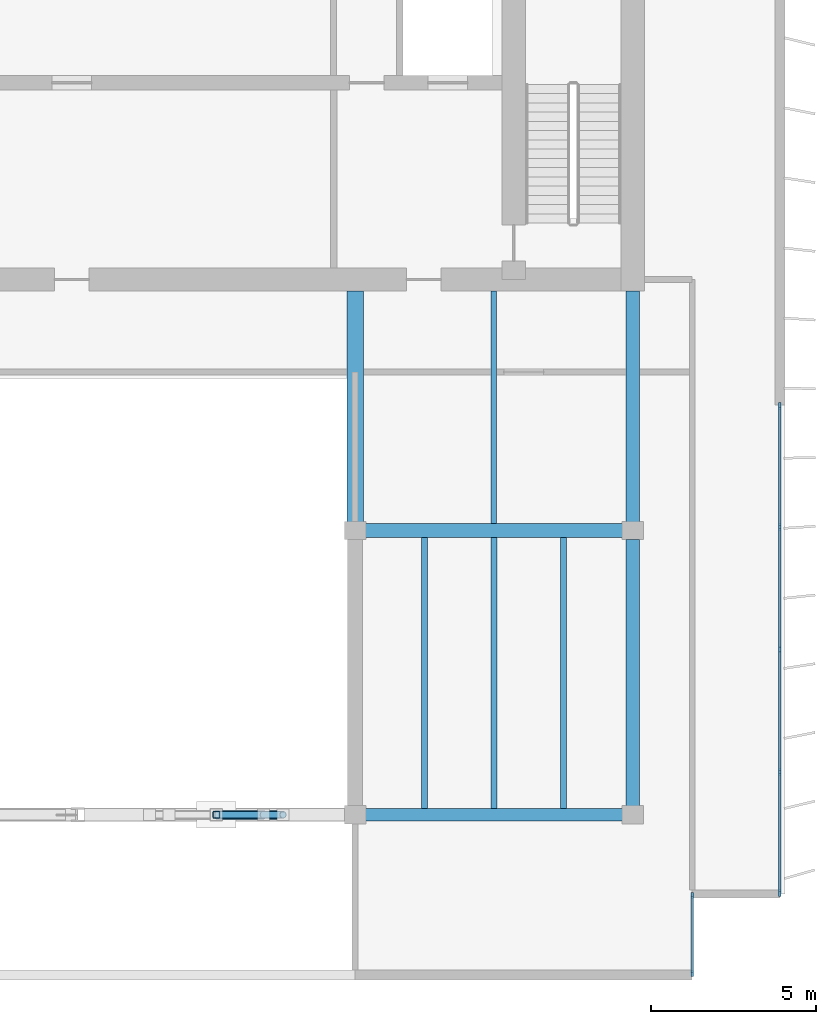
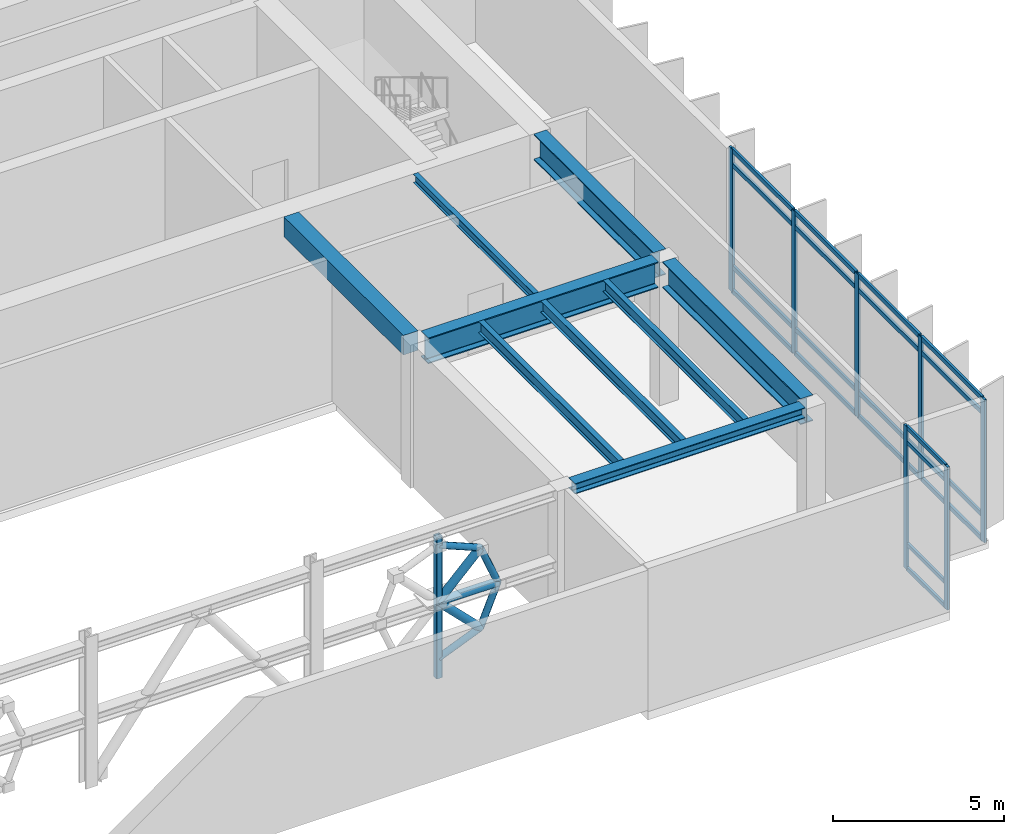
# One storey, part 4 of 10: 35 members, 9 beams, 2 elements without a shape of their own.
"""IFC4 building model written with IfcOpenShell, lengths in metres."""

from ifc_helpers import new_model, si_unit, direction, frame, origin, origin_2d, place, context, subcontext, project, spatial, rectangle, hollow_rectangle, hollow_circle, i_section, extrude, material, layer, layer_set, material_profile, profile_set, type_object, element, aggregate, save


model = new_model("IFC4")

# Units and contexts
model_context = context("Model", 3, precision=1e-05, world=origin(), true_north=direction((0.0, 1.0)))
body_context = subcontext(model_context, "Body", "Model", "MODEL_VIEW")
ifc_project = project(units=[si_unit("LENGTHUNIT", "METRE"), si_unit("AREAUNIT", "SQUARE_METRE"), si_unit("VOLUMEUNIT", "CUBIC_METRE"), si_unit("PLANEANGLEUNIT", "RADIAN"), si_unit("MASSUNIT", "GRAM", prefix="KILO")], contexts=[model_context])

# Site, building, storey
site_placement = place(None, origin())
site = spatial("IfcSite", under=ifc_project, at=site_placement, CompositionType="ELEMENT")
building_placement = place(site_placement, origin())
building = spatial("IfcBuilding", under=site, at=building_placement, Name="Caelmar Bay Residences", CompositionType="ELEMENT")
storey_placement = place(building_placement, frame((0.0, 0.0, 284.800048828125)))
storey = spatial("IfcBuildingStorey", under=building, at=storey_placement, Name="L79", CompositionType="ELEMENT", Elevation=284.800048828125)

# Beams
ifc_material_1 = material(Name="Steel ASTM A992 Grade 50", Category="steel")
ifc_material_profile_1 = material_profile(ifc_material_1, i_section(OverallWidth=0.177978515625, OverallDepth=0.406005859375, WebThickness=0.0078125, FlangeThickness=0.0126953125, FilletRadius=0.0087890625, at=origin_2d()), Name="W16X40")
ifc_profile_set_1 = profile_set([ifc_material_profile_1], Name="Steel ASTM A992 Grade 50")
beam_type_1 = type_object("IfcBeamType", Name="BM-BAL-W16X40", PredefinedType="JOIST", material=ifc_profile_set_1)
for number, where, z_axis, x_axis, name in (
    (1, (53.199951171875, 20.986572265625, 4.89697265625), (0.0, 1.0, 0.0), (-1.0, 0.0, 0.0), "L79 Composite Floor Joist 4"),
    (2, (55.300048828125, 20.986572265625, 4.89697265625), (0.0, 1.0, 0.0), (-1.0, 0.0, 0.0), "L79 Composite Floor Joist 5"),
    (3, (57.39990234375, 20.986572265625, 4.89697265625), (0.0, 1.0, 0.0), (-1.0, 0.0, 0.0), "L79 Composite Floor Joist 6"),
):
    element("IfcBeam", number, at=place(storey_placement, frame(where, z_axis=z_axis, x_axis=x_axis)), inside=storey, type_object=beam_type_1, Name=name, PredefinedType="JOIST", context=body_context, shape_type="SweptSolid", body=[
        extrude(i_section(OverallWidth=0.177978515625, OverallDepth=0.406005859375, WebThickness=0.0078125, FlangeThickness=0.0126953125, FilletRadius=0.0087890625, at=origin_2d()), origin(), (0.0, 0.0, 1.0), 8.202392578125),
    ])
ifc_material_profile_2 = material_profile(ifc_material_1, i_section(OverallWidth=0.373046875, OverallDepth=0.373046875, WebThickness=0.016357421875, FlangeThickness=0.026123046875, FilletRadius=0.01513671875, at=origin_2d()), Name="W14X132")
ifc_profile_set_2 = profile_set([ifc_material_profile_2], Name="Steel ASTM A992 Grade 50")
beam_type_2 = type_object("IfcBeamType", Name="BM-CHD-W14X132", PredefinedType="BEAM", material=ifc_profile_set_2)
beam_1_placement = place(storey_placement, frame((51.4150390625, 20.800048828125, 4.913330078125), z_axis=(1.0, 0.0, 0.0), x_axis=(0.0, 1.0, 0.0)))
element("IfcBeam", 4, at=beam_1_placement, inside=storey, type_object=beam_type_2, Name="L79 East-West Girder Y=20.80 (51.1-59.5)", PredefinedType="BEAM", context=body_context, shape_type="SweptSolid", body=[
    extrude(i_section(OverallWidth=0.373046875, OverallDepth=0.373046875, WebThickness=0.016357421875, FlangeThickness=0.026123046875, FilletRadius=0.01513671875, at=origin_2d()), origin(), (0.0, 0.0, 1.0), 7.77001953125),
])
ifc_material_profile_3 = material_profile(ifc_material_1, i_section(OverallWidth=0.422119140625, OverallDepth=0.925048828125, WebThickness=0.021240234375, FlangeThickness=0.03662109375, FilletRadius=0.020263671875, at=origin_2d()), Name="W36X262")
ifc_profile_set_3 = profile_set([ifc_material_profile_3], Name="Steel ASTM A992 Grade 50")
beam_type_3 = type_object("IfcBeamType", Name="BM-GRD-W36X262", PredefinedType="BEAM", material=ifc_profile_set_3)
beam_2_placement = place(storey_placement, frame((51.4150390625, 29.39990234375, 4.637451171875), z_axis=(1.0, 0.0, 0.0), x_axis=(0.0, 1.0, 0.0)))
element("IfcBeam", 5, at=beam_2_placement, inside=storey, type_object=beam_type_3, Name="L79 East-West Girder Y=29.40 (51.1-59.5)", PredefinedType="BEAM", context=body_context, shape_type="SweptSolid", body=[
    extrude(i_section(OverallWidth=0.422119140625, OverallDepth=0.925048828125, WebThickness=0.021240234375, FlangeThickness=0.03662109375, FilletRadius=0.020263671875, at=origin_2d()), origin(), (0.0, 0.0, 1.0), 7.77001953125),
])
beam_3_placement = place(storey_placement, frame((59.5, 29.6650390625, 4.637451171875), z_axis=(0.0, 1.0, 0.0), x_axis=(-1.0, 0.0, 0.0)))
element("IfcBeam", 6, at=beam_3_placement, inside=storey, type_object=beam_type_3, Name="L79 Core Tie Girder X=59.50", PredefinedType="BEAM", context=body_context, shape_type="SweptSolid", body=[
    extrude(i_section(OverallWidth=0.422119140625, OverallDepth=0.925048828125, WebThickness=0.021240234375, FlangeThickness=0.03662109375, FilletRadius=0.020263671875, at=origin_2d()), origin(), (0.0, 0.0, 1.0), 6.98486328125),
])
beam_4_placement = place(storey_placement, frame((59.5, 21.06494140625, 4.637451171875), z_axis=(0.0, 1.0, 0.0), x_axis=(-1.0, 0.0, 0.0)))
element("IfcBeam", 7, at=beam_4_placement, inside=storey, type_object=beam_type_3, Name="L79 North-South Girder X=59.50 (20.8-29.4)", PredefinedType="BEAM", context=body_context, shape_type="SweptSolid", body=[
    extrude(i_section(OverallWidth=0.422119140625, OverallDepth=0.925048828125, WebThickness=0.021240234375, FlangeThickness=0.03662109375, FilletRadius=0.020263671875, at=origin_2d()), origin(), (0.0, 0.0, 1.0), 8.070068359375),
])
ifc_material_profile_4 = material_profile(ifc_material_1, i_section(OverallWidth=0.1650390625, OverallDepth=0.31005859375, WebThickness=0.005859375, FlangeThickness=0.009765625, FilletRadius=0.007568359375, at=origin_2d()), Name="W12X26")
ifc_profile_set_4 = profile_set([ifc_material_profile_4], Name="Steel ASTM A992 Grade 50")
beam_type_4 = type_object("IfcBeamType", Name="BM-JST-W12X26", PredefinedType="JOIST", material=ifc_profile_set_4)
beam_5_placement = place(storey_placement, frame((55.300048828125, 29.611083984375, 4.945068359375), z_axis=(0.0, 1.0, 0.0), x_axis=(-1.0, 0.0, 0.0)))
element("IfcBeam", 8, at=beam_5_placement, inside=storey, type_object=beam_type_4, Name="L79 Core-Band Composite Joist 8", PredefinedType="JOIST", context=body_context, shape_type="SweptSolid", body=[
    extrude(i_section(OverallWidth=0.1650390625, OverallDepth=0.31005859375, WebThickness=0.005859375, FlangeThickness=0.009765625, FilletRadius=0.007568359375, at=origin_2d()), origin(), (0.0, 0.0, 1.0), 7.038818359375),
])
ifc_material_2 = material(Name="Concrete f'c 55 MPa (8,000 psi)", Category="concrete")
ifc_material_profile_5 = material_profile(ifc_material_2, rectangle(XDim=0.5, YDim=0.699951171875, at=origin_2d()), Name="RC-BM-500X700")
ifc_profile_set_5 = profile_set([ifc_material_profile_5], Name="Concrete f'c 55 MPa (8,000 psi)")
beam_type_5 = type_object("IfcBeamType", Name="BM-RC-500X700", PredefinedType="LINTEL", material=ifc_profile_set_5)
beam_6_placement = place(storey_placement, frame((51.10009765625, 29.6650390625, 4.75), z_axis=(0.0, 1.0, 0.0), x_axis=(-1.0, 0.0, 0.0)))
element("IfcBeam", 9, at=beam_6_placement, inside=storey, type_object=beam_type_5, Name="L79 Shear-Wall Corridor Coupling Lintel E8", PredefinedType="LINTEL", context=body_context, shape_type="SweptSolid", body=[
    extrude(rectangle(XDim=0.5, YDim=0.699951171875, at=origin_2d()), origin(), (0.0, 0.0, 1.0), 6.98486328125),
])

# Curtain wall, members
ifc_material_3 = material(Name="Anodised bronze aluminium 6063-T6 and laminated glass", Category="aluminium")
ifc_layer_1 = layer(ifc_material_3, 0.179931640625)
ifc_layer_set_1 = layer_set([ifc_layer_1], Name="Anodised bronze aluminium 6063-T6 and laminated glass")
curtain_wall_type_1 = type_object("IfcCurtainWallType", Name="CW6-NTC", PredefinedType="NOTDEFINED", material=ifc_layer_set_1)
curtain_wall_1_placement = place(storey_placement, origin())
curtain_wall_1 = element("IfcCurtainWall", 10, at=curtain_wall_1_placement, inside=storey, type_object=curtain_wall_type_1, Name="CW6 curtain wall L79", PredefinedType="NOTDEFINED")
ifc_material_4 = material(Name="Anodised bronze aluminium 6063-T6", Category="aluminium")
ifc_material_profile_6 = material_profile(ifc_material_4, rectangle(XDim=0.080078125, YDim=0.179931640625, at=origin_2d()), Name="CWM-80X180")
ifc_profile_set_6 = profile_set([ifc_material_profile_6], Name="Anodised bronze aluminium 6063-T6")
member_type_1 = type_object("IfcMemberType", Name="CWM-180", PredefinedType="MULLION", material=ifc_profile_set_6)
member_1_placement = place(storey_placement, frame((61.300048828125, 15.989990234375, 0.0), z_axis=(0.0, 0.0, 1.0), x_axis=(-1.0, 0.0, 0.0)))
member_1 = element("IfcMember", 11, at=member_1_placement, type_object=member_type_1, Name="CW6 mullion 1", PredefinedType="MULLION", context=body_context, shape_type="SweptSolid", body=[
    extrude(rectangle(XDim=0.080078125, YDim=0.179931640625, at=origin_2d()), origin(), (0.0, 0.0, 1.0), 5.099853515625),
])
member_2_placement = place(storey_placement, frame((61.300048828125, 18.360107421875, 0.0), z_axis=(0.0, 0.0, 1.0), x_axis=(-1.0, 0.0, 0.0)))
member_2 = element("IfcMember", 12, at=member_2_placement, type_object=member_type_1, Name="CW6 mullion 2", PredefinedType="MULLION", context=body_context, shape_type="SweptSolid", body=[
    extrude(rectangle(XDim=0.080078125, YDim=0.179931640625, at=origin_2d()), origin(), (0.0, 0.0, 1.0), 5.099853515625),
])

ifc_layer_2 = layer(ifc_material_3, 0.179931640625)
ifc_layer_set_2 = layer_set([ifc_layer_2], Name="Anodised bronze aluminium 6063-T6 and laminated glass")
curtain_wall_type_2 = type_object("IfcCurtainWallType", Name="CW7-CRN", PredefinedType="NOTDEFINED", material=ifc_layer_set_2)
curtain_wall_2_placement = place(storey_placement, origin())
curtain_wall_2 = element("IfcCurtainWall", 13, at=curtain_wall_2_placement, inside=storey, type_object=curtain_wall_type_2, Name="CW7 curtain wall L79", PredefinedType="NOTDEFINED")
ifc_material_profile_7 = material_profile(ifc_material_4, rectangle(XDim=0.080078125, YDim=0.219970703125, at=origin_2d()), Name="CWM-80X220")
ifc_profile_set_7 = profile_set([ifc_material_profile_7], Name="Anodised bronze aluminium 6063-T6")
member_type_2 = type_object("IfcMemberType", Name="CWM-220", PredefinedType="MULLION", material=ifc_profile_set_7)
member_3_placement = place(storey_placement, frame((63.949951171875, 33.159912109375, 0.0), z_axis=(0.0, 0.0, 1.0), x_axis=(1.0, 0.0, 0.0)))
member_3 = element("IfcMember", 14, at=member_3_placement, type_object=member_type_2, Name="CW7 mullion 1", PredefinedType="MULLION", context=body_context, shape_type="SweptSolid", body=[
    extrude(rectangle(XDim=0.080078125, YDim=0.219970703125, at=origin_2d()), origin(), (0.0, 0.0, 1.0), 5.099853515625),
])
member_4_placement = place(storey_placement, frame((63.949951171875, 29.5, 0.0), z_axis=(0.0, 0.0, 1.0), x_axis=(1.0, 0.0, 0.0)))
member_4 = element("IfcMember", 15, at=member_4_placement, type_object=member_type_2, Name="CW7 mullion 2", PredefinedType="MULLION", context=body_context, shape_type="SweptSolid", body=[
    extrude(rectangle(XDim=0.080078125, YDim=0.219970703125, at=origin_2d()), origin(), (0.0, 0.0, 1.0), 5.099853515625),
])
member_5_placement = place(storey_placement, frame((63.949951171875, 25.800048828125, 0.0), z_axis=(0.0, 0.0, 1.0), x_axis=(1.0, 0.0, 0.0)))
member_5 = element("IfcMember", 16, at=member_5_placement, type_object=member_type_2, Name="CW7 mullion 3", PredefinedType="MULLION", context=body_context, shape_type="SweptSolid", body=[
    extrude(rectangle(XDim=0.080078125, YDim=0.219970703125, at=origin_2d()), origin(), (0.0, 0.0, 1.0), 5.099853515625),
])
member_6_placement = place(storey_placement, frame((63.949951171875, 22.10009765625, 0.0), z_axis=(0.0, 0.0, 1.0), x_axis=(1.0, 0.0, 0.0)))
member_6 = element("IfcMember", 17, at=member_6_placement, type_object=member_type_2, Name="CW7 mullion 4", PredefinedType="MULLION", context=body_context, shape_type="SweptSolid", body=[
    extrude(rectangle(XDim=0.080078125, YDim=0.219970703125, at=origin_2d()), origin(), (0.0, 0.0, 1.0), 5.099853515625),
])
member_7_placement = place(storey_placement, frame((63.949951171875, 18.43994140625, 0.0), z_axis=(0.0, 0.0, 1.0), x_axis=(1.0, 0.0, 0.0)))
member_7 = element("IfcMember", 18, at=member_7_placement, type_object=member_type_2, Name="CW7 mullion 5", PredefinedType="MULLION", context=body_context, shape_type="SweptSolid", body=[
    extrude(rectangle(XDim=0.080078125, YDim=0.219970703125, at=origin_2d()), origin(), (0.0, 0.0, 1.0), 5.099853515625),
])

# Member
ifc_material_profile_8 = material_profile(ifc_material_4, rectangle(XDim=0.080078125, YDim=0.139892578125, at=origin_2d()), Name="CWT-80X140")
ifc_profile_set_8 = profile_set([ifc_material_profile_8], Name="Anodised bronze aluminium 6063-T6")
member_type_3 = type_object("IfcMemberType", Name="CWT-140", PredefinedType="NOTDEFINED", material=ifc_profile_set_8)
member_8_placement = place(storey_placement, frame((61.300048828125, 16.030029296875, 0.0400390625), z_axis=(0.0, 1.0, 0.0), x_axis=(-1.0, 0.0, 0.0)))
member_8 = element("IfcMember", 19, at=member_8_placement, type_object=member_type_3, Name="CW6 transom 1.1", ObjectType="TRANSOM", PredefinedType="USERDEFINED", context=body_context, shape_type="SweptSolid", body=[
    extrude(rectangle(XDim=0.080078125, YDim=0.139892578125, at=origin_2d()), origin(), (0.0, 0.0, 1.0), 2.2900390625),
])

member_9_placement = place(storey_placement, frame((61.300048828125, 16.030029296875, 0.89990234375), z_axis=(0.0, 1.0, 0.0), x_axis=(-1.0, 0.0, 0.0)))
member_9 = element("IfcMember", 20, at=member_9_placement, type_object=member_type_3, Name="CW6 transom 1.2", ObjectType="TRANSOM", PredefinedType="USERDEFINED", context=body_context, shape_type="SweptSolid", body=[
    extrude(rectangle(XDim=0.080078125, YDim=0.139892578125, at=origin_2d()), origin(), (0.0, 0.0, 1.0), 2.2900390625),
])

member_10_placement = place(storey_placement, frame((61.300048828125, 16.030029296875, 4.550048828125), z_axis=(0.0, 1.0, 0.0), x_axis=(-1.0, 0.0, 0.0)))
member_10 = element("IfcMember", 21, at=member_10_placement, type_object=member_type_3, Name="CW6 transom 1.3", ObjectType="TRANSOM", PredefinedType="USERDEFINED", context=body_context, shape_type="SweptSolid", body=[
    extrude(rectangle(XDim=0.080078125, YDim=0.139892578125, at=origin_2d()), origin(), (0.0, 0.0, 1.0), 2.2900390625),
])

member_11_placement = place(storey_placement, frame((61.300048828125, 16.030029296875, 5.06005859375), z_axis=(0.0, 1.0, 0.0), x_axis=(-1.0, 0.0, 0.0)))
member_11 = element("IfcMember", 22, at=member_11_placement, type_object=member_type_3, Name="CW6 transom 1.4", ObjectType="TRANSOM", PredefinedType="USERDEFINED", context=body_context, shape_type="SweptSolid", body=[
    extrude(rectangle(XDim=0.080078125, YDim=0.139892578125, at=origin_2d()), origin(), (0.0, 0.0, 1.0), 2.2900390625),
])

aggregate(curtain_wall_1, [member_1, member_2, member_8, member_9, member_10, member_11])

ifc_material_profile_9 = material_profile(ifc_material_4, rectangle(XDim=0.080078125, YDim=0.159912109375, at=origin_2d()), Name="CWT-80X160")
ifc_profile_set_9 = profile_set([ifc_material_profile_9], Name="Anodised bronze aluminium 6063-T6")
member_type_4 = type_object("IfcMemberType", Name="CWT-160", PredefinedType="NOTDEFINED", material=ifc_profile_set_9)
member_12_placement = place(storey_placement, frame((63.949951171875, 33.1201171875, 0.0400390625), z_axis=(0.0, -1.0, 0.0), x_axis=(1.0, 0.0, 0.0)))
member_12 = element("IfcMember", 23, at=member_12_placement, type_object=member_type_4, Name="CW7 transom 1.1", ObjectType="TRANSOM", PredefinedType="USERDEFINED", context=body_context, shape_type="SweptSolid", body=[
    extrude(rectangle(XDim=0.080078125, YDim=0.159912109375, at=origin_2d()), origin(), (0.0, 0.0, 1.0), 3.580078125),
])

member_13_placement = place(storey_placement, frame((63.949951171875, 33.1201171875, 0.89990234375), z_axis=(0.0, -1.0, 0.0), x_axis=(1.0, 0.0, 0.0)))
member_13 = element("IfcMember", 24, at=member_13_placement, type_object=member_type_4, Name="CW7 transom 1.2", ObjectType="TRANSOM", PredefinedType="USERDEFINED", context=body_context, shape_type="SweptSolid", body=[
    extrude(rectangle(XDim=0.080078125, YDim=0.159912109375, at=origin_2d()), origin(), (0.0, 0.0, 1.0), 3.580078125),
])

member_14_placement = place(storey_placement, frame((63.949951171875, 33.1201171875, 4.550048828125), z_axis=(0.0, -1.0, 0.0), x_axis=(1.0, 0.0, 0.0)))
member_14 = element("IfcMember", 25, at=member_14_placement, type_object=member_type_4, Name="CW7 transom 1.3", ObjectType="TRANSOM", PredefinedType="USERDEFINED", context=body_context, shape_type="SweptSolid", body=[
    extrude(rectangle(XDim=0.080078125, YDim=0.159912109375, at=origin_2d()), origin(), (0.0, 0.0, 1.0), 3.580078125),
])

member_15_placement = place(storey_placement, frame((63.949951171875, 33.1201171875, 5.06005859375), z_axis=(0.0, -1.0, 0.0), x_axis=(1.0, 0.0, 0.0)))
member_15 = element("IfcMember", 26, at=member_15_placement, type_object=member_type_4, Name="CW7 transom 1.4", ObjectType="TRANSOM", PredefinedType="USERDEFINED", context=body_context, shape_type="SweptSolid", body=[
    extrude(rectangle(XDim=0.080078125, YDim=0.159912109375, at=origin_2d()), origin(), (0.0, 0.0, 1.0), 3.580078125),
])

member_16_placement = place(storey_placement, frame((63.949951171875, 29.4599609375, 0.0400390625), z_axis=(0.0, -1.0, 0.0), x_axis=(1.0, 0.0, 0.0)))
member_16 = element("IfcMember", 27, at=member_16_placement, type_object=member_type_4, Name="CW7 transom 2.1", ObjectType="TRANSOM", PredefinedType="USERDEFINED", context=body_context, shape_type="SweptSolid", body=[
    extrude(rectangle(XDim=0.080078125, YDim=0.159912109375, at=origin_2d()), origin(), (0.0, 0.0, 1.0), 3.619873046875),
])

member_17_placement = place(storey_placement, frame((63.949951171875, 29.4599609375, 0.89990234375), z_axis=(0.0, -1.0, 0.0), x_axis=(1.0, 0.0, 0.0)))
member_17 = element("IfcMember", 28, at=member_17_placement, type_object=member_type_4, Name="CW7 transom 2.2", ObjectType="TRANSOM", PredefinedType="USERDEFINED", context=body_context, shape_type="SweptSolid", body=[
    extrude(rectangle(XDim=0.080078125, YDim=0.159912109375, at=origin_2d()), origin(), (0.0, 0.0, 1.0), 3.619873046875),
])

member_18_placement = place(storey_placement, frame((63.949951171875, 29.4599609375, 4.550048828125), z_axis=(0.0, -1.0, 0.0), x_axis=(1.0, 0.0, 0.0)))
member_18 = element("IfcMember", 29, at=member_18_placement, type_object=member_type_4, Name="CW7 transom 2.3", ObjectType="TRANSOM", PredefinedType="USERDEFINED", context=body_context, shape_type="SweptSolid", body=[
    extrude(rectangle(XDim=0.080078125, YDim=0.159912109375, at=origin_2d()), origin(), (0.0, 0.0, 1.0), 3.619873046875),
])

member_19_placement = place(storey_placement, frame((63.949951171875, 29.4599609375, 5.06005859375), z_axis=(0.0, -1.0, 0.0), x_axis=(1.0, 0.0, 0.0)))
member_19 = element("IfcMember", 30, at=member_19_placement, type_object=member_type_4, Name="CW7 transom 2.4", ObjectType="TRANSOM", PredefinedType="USERDEFINED", context=body_context, shape_type="SweptSolid", body=[
    extrude(rectangle(XDim=0.080078125, YDim=0.159912109375, at=origin_2d()), origin(), (0.0, 0.0, 1.0), 3.619873046875),
])

member_20_placement = place(storey_placement, frame((63.949951171875, 25.760009765625, 0.0400390625), z_axis=(0.0, -1.0, 0.0), x_axis=(1.0, 0.0, 0.0)))
member_20 = element("IfcMember", 31, at=member_20_placement, type_object=member_type_4, Name="CW7 transom 3.1", ObjectType="TRANSOM", PredefinedType="USERDEFINED", context=body_context, shape_type="SweptSolid", body=[
    extrude(rectangle(XDim=0.080078125, YDim=0.159912109375, at=origin_2d()), origin(), (0.0, 0.0, 1.0), 3.6201171875),
])

member_21_placement = place(storey_placement, frame((63.949951171875, 25.760009765625, 0.89990234375), z_axis=(0.0, -1.0, 0.0), x_axis=(1.0, 0.0, 0.0)))
member_21 = element("IfcMember", 32, at=member_21_placement, type_object=member_type_4, Name="CW7 transom 3.2", ObjectType="TRANSOM", PredefinedType="USERDEFINED", context=body_context, shape_type="SweptSolid", body=[
    extrude(rectangle(XDim=0.080078125, YDim=0.159912109375, at=origin_2d()), origin(), (0.0, 0.0, 1.0), 3.6201171875),
])

member_22_placement = place(storey_placement, frame((63.949951171875, 25.760009765625, 4.550048828125), z_axis=(0.0, -1.0, 0.0), x_axis=(1.0, 0.0, 0.0)))
member_22 = element("IfcMember", 33, at=member_22_placement, type_object=member_type_4, Name="CW7 transom 3.3", ObjectType="TRANSOM", PredefinedType="USERDEFINED", context=body_context, shape_type="SweptSolid", body=[
    extrude(rectangle(XDim=0.080078125, YDim=0.159912109375, at=origin_2d()), origin(), (0.0, 0.0, 1.0), 3.6201171875),
])

member_23_placement = place(storey_placement, frame((63.949951171875, 25.760009765625, 5.06005859375), z_axis=(0.0, -1.0, 0.0), x_axis=(1.0, 0.0, 0.0)))
member_23 = element("IfcMember", 34, at=member_23_placement, type_object=member_type_4, Name="CW7 transom 3.4", ObjectType="TRANSOM", PredefinedType="USERDEFINED", context=body_context, shape_type="SweptSolid", body=[
    extrude(rectangle(XDim=0.080078125, YDim=0.159912109375, at=origin_2d()), origin(), (0.0, 0.0, 1.0), 3.6201171875),
])

member_24_placement = place(storey_placement, frame((63.949951171875, 22.06005859375, 0.0400390625), z_axis=(0.0, -1.0, 0.0), x_axis=(1.0, 0.0, 0.0)))
member_24 = element("IfcMember", 35, at=member_24_placement, type_object=member_type_4, Name="CW7 transom 4.1", ObjectType="TRANSOM", PredefinedType="USERDEFINED", context=body_context, shape_type="SweptSolid", body=[
    extrude(rectangle(XDim=0.080078125, YDim=0.159912109375, at=origin_2d()), origin(), (0.0, 0.0, 1.0), 3.580078125),
])

member_25_placement = place(storey_placement, frame((63.949951171875, 22.06005859375, 0.89990234375), z_axis=(0.0, -1.0, 0.0), x_axis=(1.0, 0.0, 0.0)))
member_25 = element("IfcMember", 36, at=member_25_placement, type_object=member_type_4, Name="CW7 transom 4.2", ObjectType="TRANSOM", PredefinedType="USERDEFINED", context=body_context, shape_type="SweptSolid", body=[
    extrude(rectangle(XDim=0.080078125, YDim=0.159912109375, at=origin_2d()), origin(), (0.0, 0.0, 1.0), 3.580078125),
])

member_26_placement = place(storey_placement, frame((63.949951171875, 22.06005859375, 4.550048828125), z_axis=(0.0, -1.0, 0.0), x_axis=(1.0, 0.0, 0.0)))
member_26 = element("IfcMember", 37, at=member_26_placement, type_object=member_type_4, Name="CW7 transom 4.3", ObjectType="TRANSOM", PredefinedType="USERDEFINED", context=body_context, shape_type="SweptSolid", body=[
    extrude(rectangle(XDim=0.080078125, YDim=0.159912109375, at=origin_2d()), origin(), (0.0, 0.0, 1.0), 3.580078125),
])

member_27_placement = place(storey_placement, frame((63.949951171875, 22.06005859375, 5.06005859375), z_axis=(0.0, -1.0, 0.0), x_axis=(1.0, 0.0, 0.0)))
member_27 = element("IfcMember", 38, at=member_27_placement, type_object=member_type_4, Name="CW7 transom 4.4", ObjectType="TRANSOM", PredefinedType="USERDEFINED", context=body_context, shape_type="SweptSolid", body=[
    extrude(rectangle(XDim=0.080078125, YDim=0.159912109375, at=origin_2d()), origin(), (0.0, 0.0, 1.0), 3.580078125),
])

aggregate(curtain_wall_2, [member_3, member_4, member_5, member_6, member_7, member_12, member_13, member_14, member_15, member_16, member_17, member_18, member_19, member_20, member_21, member_22, member_23, member_24, member_25, member_26, member_27])

# Members
ifc_material_5 = material(Name="Steel ASTM A500 Grade C", Category="steel")
ifc_material_profile_10 = material_profile(ifc_material_5, hollow_rectangle(XDim=0.202880859375, YDim=0.202880859375, WallThickness=0.01171875, InnerFilletRadius=0.01171875, OuterFilletRadius=0.023681640625, at=origin_2d()), Name="HSS200X200X12.7")
ifc_profile_set_10 = profile_set([ifc_material_profile_10], Name="Steel ASTM A500 Grade C")
member_type_5 = type_object("IfcMemberType", Name="MEM-PST-HSS200", PredefinedType="POST", material=ifc_profile_set_10)
member_28_placement = place(storey_placement, frame((46.89990234375, 20.800048828125, -0.31005859375), z_axis=(0.0, 0.0, 1.0), x_axis=(1.0, 0.0, 0.0)))
element("IfcMember", 39, at=member_28_placement, inside=storey, type_object=member_type_5, Name="Venturi Rotor 2 Vertical Hub Post", PredefinedType="POST", context=body_context, shape_type="SweptSolid", body=[
    extrude(hollow_rectangle(XDim=0.202880859375, YDim=0.202880859375, WallThickness=0.01171875, InnerFilletRadius=0.01171875, OuterFilletRadius=0.023681640625, at=origin_2d()), origin(), (0.0, 0.0, 1.0), 5.052001953125),
])
ifc_material_profile_11 = material_profile(ifc_material_5, hollow_circle(Radius=0.109619140625, WallThickness=0.01171875, at=origin_2d()), Name="CHS219X12.7")
ifc_profile_set_11 = profile_set([ifc_material_profile_11], Name="Steel ASTM A500 Grade C")
member_type_6 = type_object("IfcMemberType", Name="MEM-SHR-CHS219", PredefinedType="STRUT", material=ifc_profile_set_11)
for number, where, z_axis, x_axis, name in (
    (40, (48.919921875, 20.800048828125, 2.370849609375), (-0.382607474416, 0.0, 0.923910991666), (0.0, -1.0, 0.0), "Venturi Rotor 2 Octagonal Shroud Ring Segment 1"),
    (41, (48.328369140625, 20.800048828125, 3.79931640625), (-0.923910991666, 0.0, 0.382607474416), (0.0, -1.0, 0.0), "Venturi Rotor 2 Octagonal Shroud Ring Segment 2"),
    (42, (46.89990234375, 20.800048828125, 0.350830078125), (0.923855166006, 0.0, 0.382742253016), (0.0, 1.0, 0.0), "Venturi Rotor 2 Octagonal Shroud Ring Segment 7"),
):
    element("IfcMember", number, at=place(storey_placement, frame(where, z_axis=z_axis, x_axis=x_axis)), inside=storey, type_object=member_type_6, Name=name, PredefinedType="STRUT", context=body_context, shape_type="SweptSolid", body=[
        extrude(hollow_circle(Radius=0.109619140625, WallThickness=0.01171875, at=origin_2d()), origin(), (0.0, 0.0, 1.0), 1.546142578125),
    ])
member_29_placement = place(storey_placement, frame((48.328369140625, 20.800048828125, 0.942626953125), z_axis=(0.382663301063, 0.0, 0.923887870913), x_axis=(0.0, 1.0, 0.0)))
element("IfcMember", 43, at=member_29_placement, inside=storey, type_object=member_type_6, Name="Venturi Rotor 2 Octagonal Shroud Ring Segment 8", PredefinedType="STRUT", context=body_context, shape_type="SweptSolid", body=[
    extrude(hollow_circle(Radius=0.109619140625, WallThickness=0.01171875, at=origin_2d()), origin(), (0.0, 0.0, 1.0), 1.5458984375),
])
ifc_material_profile_12 = material_profile(ifc_material_5, hollow_circle(Radius=0.136474609375, WallThickness=0.014892578125, at=origin_2d()), Name="CHS273X15.9")
ifc_profile_set_12 = profile_set([ifc_material_profile_12], Name="Steel ASTM A500 Grade C")
member_type_7 = type_object("IfcMemberType", Name="MEM-SHR-CHS273", PredefinedType="BRACE", material=ifc_profile_set_12)
member_30_placement = place(storey_placement, frame((46.89990234375, 20.800048828125, 2.370849609375), z_axis=(1.0, 0.0, 0.0), x_axis=(0.0, 1.0, 0.0)))
element("IfcMember", 44, at=member_30_placement, inside=storey, type_object=member_type_7, Name="Venturi Rotor 2 Shroud Radial Strut 1", PredefinedType="BRACE", context=body_context, shape_type="SweptSolid", body=[
    extrude(hollow_circle(Radius=0.136474609375, WallThickness=0.014892578125, at=origin_2d()), origin(), (0.0, 0.0, 1.0), 2.02001953125),
])
member_31_placement = place(storey_placement, frame((46.89990234375, 20.800048828125, 2.370849609375), z_axis=(0.707106781187, 0.0, 0.707106781187), x_axis=(0.0, 1.0, 0.0)))
element("IfcMember", 45, at=member_31_placement, inside=storey, type_object=member_type_7, Name="Venturi Rotor 2 Shroud Radial Strut 2", PredefinedType="BRACE", context=body_context, shape_type="SweptSolid", body=[
    extrude(hollow_circle(Radius=0.136474609375, WallThickness=0.014892578125, at=origin_2d()), origin(), (0.0, 0.0, 1.0), 2.020263671875),
])
member_32_placement = place(storey_placement, frame((46.89990234375, 20.800048828125, 2.370849609375), z_axis=(0.707167209916, 0.0, -0.707046347292), x_axis=(0.0, 1.0, 0.0)))
element("IfcMember", 46, at=member_32_placement, inside=storey, type_object=member_type_7, Name="Venturi Rotor 2 Shroud Radial Strut 8", PredefinedType="BRACE", context=body_context, shape_type="SweptSolid", body=[
    extrude(hollow_circle(Radius=0.136474609375, WallThickness=0.014892578125, at=origin_2d()), origin(), (0.0, 0.0, 1.0), 2.02001953125),
])

save(model, "model.ifc")
